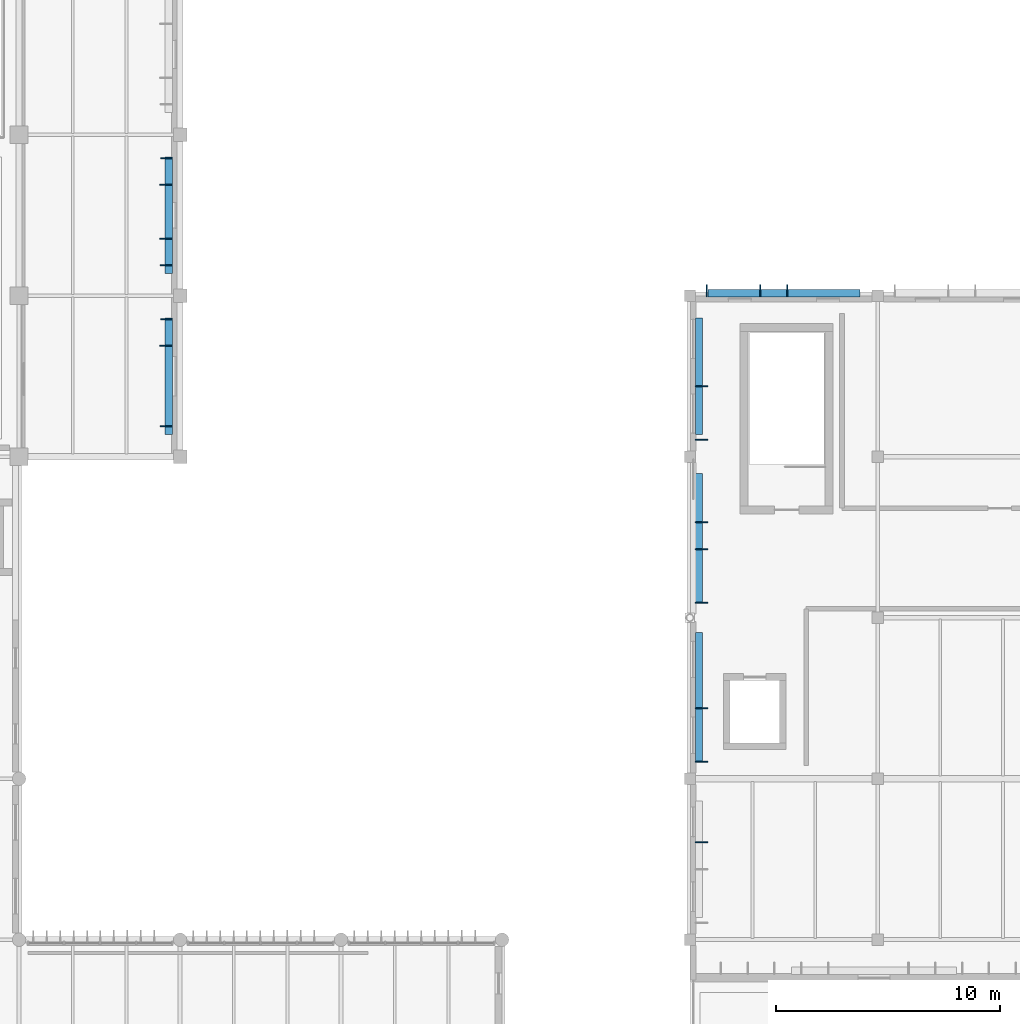
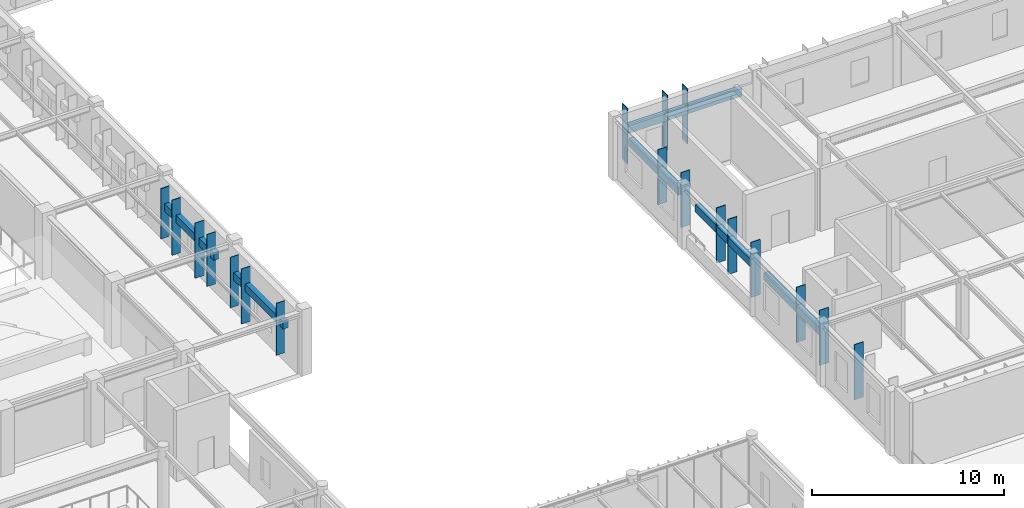
# One storey, part 23 of 104: 24 plates.
"""IFC4 building model written with IfcOpenShell, lengths in metres."""

from ifc_helpers import new_model, si_unit, direction, frame, origin, origin_2d, place, context, subcontext, project, spatial, rectangle, extrude, material, layer, layer_set, type_object, element, save


model = new_model("IFC4")

# Units and contexts
model_context = context("Model", 3, precision=1e-05, world=origin(), true_north=direction((0.0, 1.0)))
body_context = subcontext(model_context, "Body", "Model", "MODEL_VIEW")
ifc_project = project(units=[si_unit("LENGTHUNIT", "METRE"), si_unit("AREAUNIT", "SQUARE_METRE"), si_unit("VOLUMEUNIT", "CUBIC_METRE"), si_unit("PLANEANGLEUNIT", "RADIAN"), si_unit("MASSUNIT", "GRAM", prefix="KILO")], contexts=[model_context])

# Site, building, storey
site_placement = place(None, origin())
site = spatial("IfcSite", under=ifc_project, at=site_placement, CompositionType="ELEMENT")
building_placement = place(site_placement, origin())
building = spatial("IfcBuilding", under=site, at=building_placement, Name="Tazoul Stagehouse", CompositionType="ELEMENT")
storey_placement = place(building_placement, frame((0.0, 0.0, 9.0)))
storey = spatial("IfcBuildingStorey", under=building, at=storey_placement, Name="L02", CompositionType="ELEMENT", Elevation=9.0)

# Plates
ifc_material = material(Name="Anodised Bronze Aluminium 6063-T6", Category="aluminium")
ifc_layer_1 = layer(ifc_material, 0.52001953125, Name="Anodised Bronze Aluminium 6063-T6")
ifc_layer_set_1 = layer_set([ifc_layer_1], Name="Anodised Bronze Aluminium 6063-T6")
plate_type_1 = type_object("IfcPlateType", Name="Parametric Terracotta-Bronze Solar Fin 520x3200", PredefinedType="USERDEFINED", material=ifc_layer_set_1)
for number, where, z_axis, x_axis, name in (
    (1, (101.989990234375, 65.159912109375, 0.64013671875), (0.0, 0.0, 1.0), (0.0, -1.0, 0.0), "L02 Parametric Solar Fin SFN-18 (WALL-V1-E-L02-S1-B4-01)"),
    (2, (101.989990234375, 57.9599609375, 0.64013671875), (0.0, 0.0, 1.0), (0.0, -1.0, 0.0), "L02 Parametric Solar Fin SFN-18 (WALL-V1-E-L02-S1-B5-01)"),
):
    element("IfcPlate", number, at=place(storey_placement, frame(where, z_axis=z_axis, x_axis=x_axis)), inside=storey, type_object=plate_type_1, Name=name, ObjectType="SOLAR FIN", PredefinedType="USERDEFINED", context=body_context, shape_type="SweptSolid", body=[
        extrude(rectangle(XDim=0.044921875, YDim=0.52001953125, at=origin_2d()), origin(), (0.0, 0.0, 1.0), 3.199951171875),
    ])
ifc_layer_2 = layer(ifc_material, 0.530029296875, Name="Anodised Bronze Aluminium 6063-T6")
ifc_layer_set_2 = layer_set([ifc_layer_2], Name="Anodised Bronze Aluminium 6063-T6")
plate_type_2 = type_object("IfcPlateType", Name="Parametric Terracotta-Bronze Solar Fin 530x3300", PredefinedType="USERDEFINED", material=ifc_layer_set_2)
for number, where, z_axis, x_axis, name in (
    (3, (101.985107421875, 60.360107421875, 0.5400390625), (0.0, 0.0, 1.0), (0.0, -1.0, 0.0), "L02 Parametric Solar Fin SFN-19 (WALL-V1-E-L02-S1-B4-05)"),
    (4, (101.985107421875, 53.159912109375, 0.5400390625), (0.0, 0.0, 1.0), (0.0, -1.0, 0.0), "L02 Parametric Solar Fin SFN-19 (WALL-V1-E-L02-S1-B5-05)"),
):
    element("IfcPlate", number, at=place(storey_placement, frame(where, z_axis=z_axis, x_axis=x_axis)), inside=storey, type_object=plate_type_2, Name=name, ObjectType="SOLAR FIN", PredefinedType="USERDEFINED", context=body_context, shape_type="SweptSolid", body=[
        extrude(rectangle(XDim=0.044921875, YDim=0.530029296875, at=origin_2d()), origin(), (0.0, 0.0, 1.0), 3.300048828125),
    ])
ifc_layer_3 = layer(ifc_material, 0.550048828125, Name="Anodised Bronze Aluminium 6063-T6")
ifc_layer_set_3 = layer_set([ifc_layer_3], Name="Anodised Bronze Aluminium 6063-T6")
plate_type_3 = type_object("IfcPlateType", Name="Parametric Terracotta-Bronze Solar Fin 550x3500", PredefinedType="USERDEFINED", material=ifc_layer_set_3)
for number, where, z_axis, x_axis, name in (
    (5, (126.155029296875, 59.22509765625, 0.6201171875), (0.0, 0.0, 1.0), (1.0, 0.0, 0.0), "L02 Parametric Solar Fin SFN-21 (WALL-V4-N-L02-S1-01)"),
    (6, (128.554931640625, 59.22509765625, 0.6201171875), (0.0, 0.0, 1.0), (1.0, 0.0, 0.0), "L02 Parametric Solar Fin SFN-21 (WALL-V4-N-L02-S1-03)"),
    (7, (129.7548828125, 59.22509765625, 0.6201171875), (0.0, 0.0, 1.0), (1.0, 0.0, 0.0), "L02 Parametric Solar Fin SFN-21 (WALL-V4-N-L02-S1-04)"),
    (8, (125.925048828125, 34.554931640625, 0.6201171875), (0.0, 0.0, 1.0), (0.0, 1.0, 0.0), "L02 Parametric Solar Fin SFN-21 (WALL-V4-W-L02-S2-04)"),
    (9, (125.925048828125, 38.155029296875, 0.6201171875), (0.0, 0.0, 1.0), (0.0, 1.0, 0.0), "L02 Parametric Solar Fin SFN-21 (WALL-V4-W-L02-S3-01)"),
    (10, (125.925048828125, 40.554931640625, 0.6201171875), (0.0, 0.0, 1.0), (0.0, 1.0, 0.0), "L02 Parametric Solar Fin SFN-21 (WALL-V4-W-L02-S3-03)"),
    (11, (125.925048828125, 45.26708984375, 0.6201171875), (0.0, 0.0, 1.0), (0.0, 1.0, 0.0), "L02 Parametric Solar Fin SFN-21 (WALL-V4-W-L02-S4-01)"),
    (12, (125.925048828125, 47.6669921875, 0.6201171875), (0.0, 0.0, 1.0), (0.0, 1.0, 0.0), "L02 Parametric Solar Fin SFN-21 (WALL-V4-W-L02-S4-03)"),
    (13, (125.925048828125, 48.866943359375, 0.6201171875), (0.0, 0.0, 1.0), (0.0, 1.0, 0.0), "L02 Parametric Solar Fin SFN-21 (WALL-V4-W-L02-S4-04)"),
    (14, (125.925048828125, 52.554931640625, 0.6201171875), (0.0, 0.0, 1.0), (0.0, 1.0, 0.0), "L02 Parametric Solar Fin SFN-21 (WALL-V4-W-L02-S5-01)"),
    (15, (125.925048828125, 54.955078125, 0.6201171875), (0.0, 0.0, 1.0), (0.0, 1.0, 0.0), "L02 Parametric Solar Fin SFN-21 (WALL-V4-W-L02-S5-03)"),
    (16, (101.97509765625, 63.9599609375, 0.340087890625), (0.0, 0.0, 1.0), (0.0, -1.0, 0.0), "L02 Parametric Solar Fin SFN-21 (WALL-V1-E-L02-S1-B4-02)"),
    (17, (101.97509765625, 61.56005859375, 0.340087890625), (0.0, 0.0, 1.0), (0.0, -1.0, 0.0), "L02 Parametric Solar Fin SFN-21 (WALL-V1-E-L02-S1-B4-04)"),
    (18, (101.97509765625, 56.760009765625, 0.340087890625), (0.0, 0.0, 1.0), (0.0, -1.0, 0.0), "L02 Parametric Solar Fin SFN-21 (WALL-V1-E-L02-S1-B5-02)"),
):
    element("IfcPlate", number, at=place(storey_placement, frame(where, z_axis=z_axis, x_axis=x_axis)), inside=storey, type_object=plate_type_3, Name=name, ObjectType="SOLAR FIN", PredefinedType="USERDEFINED", context=body_context, shape_type="SweptSolid", body=[
        extrude(rectangle(XDim=0.044921875, YDim=0.550048828125, at=origin_2d()), origin(), (0.0, 0.0, 1.0), 3.5),
    ])
ifc_layer_4 = layer(ifc_material, 0.320068359375, Name="Anodised Bronze Aluminium 6063-T6")
ifc_layer_set_4 = layer_set([ifc_layer_4], Name="Anodised Bronze Aluminium 6063-T6")
plate_type_4 = type_object("IfcPlateType", Name="Sculpted Facade Spandrel Ribbon 5200x480", PredefinedType="USERDEFINED", material=ifc_layer_set_4)
for number, where, z_axis, x_axis, name in (
    (19, (125.81005859375, 55.39990234375, 2.51611328125), (0.0, 0.0, 1.0), (0.0, 1.0, 0.0), "L02 Sculpted Facade Spandrel Ribbon FRB-07 (WALL-V4-W-L02-S5)"),
    (20, (102.090087890625, 62.60009765625, 2.333984375), (0.0, 0.0, 1.0), (0.0, -1.0, 0.0), "L02 Sculpted Facade Spandrel Ribbon FRB-07 (WALL-V1-E-L02-S1-B4)"),
    (21, (102.090087890625, 55.39990234375, 2.333984375), (0.0, 0.0, 1.0), (0.0, -1.0, 0.0), "L02 Sculpted Facade Spandrel Ribbon FRB-07 (WALL-V1-E-L02-S1-B5)"),
):
    element("IfcPlate", number, at=place(storey_placement, frame(where, z_axis=z_axis, x_axis=x_axis)), inside=storey, type_object=plate_type_4, Name=name, ObjectType="FACADE RIBBON", PredefinedType="USERDEFINED", context=body_context, shape_type="SweptSolid", body=[
        extrude(rectangle(XDim=5.199951171875, YDim=0.320068359375, at=origin_2d()), origin(), (0.0, 0.0, 1.0), 0.47998046875),
    ])
ifc_layer_5 = layer(ifc_material, 0.320068359375, Name="Anodised Bronze Aluminium 6063-T6")
ifc_layer_set_5 = layer_set([ifc_layer_5], Name="Anodised Bronze Aluminium 6063-T6")
plate_type_5 = type_object("IfcPlateType", Name="Sculpted Facade Spandrel Ribbon 5800x480", PredefinedType="USERDEFINED", material=ifc_layer_set_5)
for number, where, z_axis, x_axis, name in (
    (22, (125.81005859375, 41.0439453125, 2.51611328125), (0.0, 0.0, 1.0), (0.0, 1.0, 0.0), "L02 Sculpted Facade Spandrel Ribbon FRB-08 (WALL-V4-W-L02-S3)"),
    (23, (125.81005859375, 48.156005859375, 2.51611328125), (0.0, 0.0, 1.0), (0.0, 1.0, 0.0), "L02 Sculpted Facade Spandrel Ribbon FRB-08 (WALL-V4-W-L02-S4)"),
):
    element("IfcPlate", number, at=place(storey_placement, frame(where, z_axis=z_axis, x_axis=x_axis)), inside=storey, type_object=plate_type_5, Name=name, ObjectType="FACADE RIBBON", PredefinedType="USERDEFINED", context=body_context, shape_type="SweptSolid", body=[
        extrude(rectangle(XDim=5.800048828125, YDim=0.320068359375, at=origin_2d()), origin(), (0.0, 0.0, 1.0), 0.47998046875),
    ])
ifc_layer_6 = layer(ifc_material, 0.320068359375, Name="Anodised Bronze Aluminium 6063-T6")
ifc_layer_set_6 = layer_set([ifc_layer_6], Name="Anodised Bronze Aluminium 6063-T6")
plate_type_6 = type_object("IfcPlateType", Name="Sculpted Facade Spandrel Ribbon 6800x480", PredefinedType="USERDEFINED", material=ifc_layer_set_6)
plate_placement = place(storey_placement, frame((129.60009765625, 59.110107421875, 2.51611328125), z_axis=(0.0, 0.0, 1.0), x_axis=(1.0, 0.0, 0.0)))
element("IfcPlate", 24, at=plate_placement, inside=storey, type_object=plate_type_6, Name="L02 Sculpted Facade Spandrel Ribbon FRB-10 (WALL-V4-N-L02-S1)", ObjectType="FACADE RIBBON", PredefinedType="USERDEFINED", context=body_context, shape_type="SweptSolid", body=[
    extrude(rectangle(XDim=6.800048828125, YDim=0.320068359375, at=origin_2d()), origin(), (0.0, 0.0, 1.0), 0.47998046875),
])

save(model, "model.ifc")
